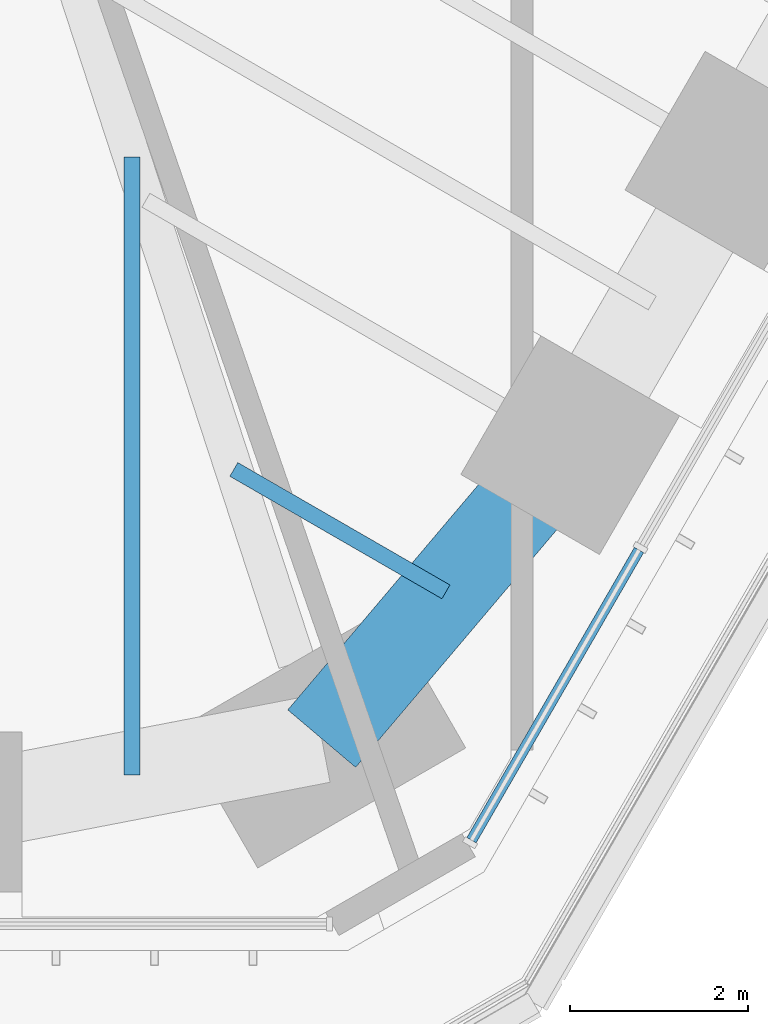
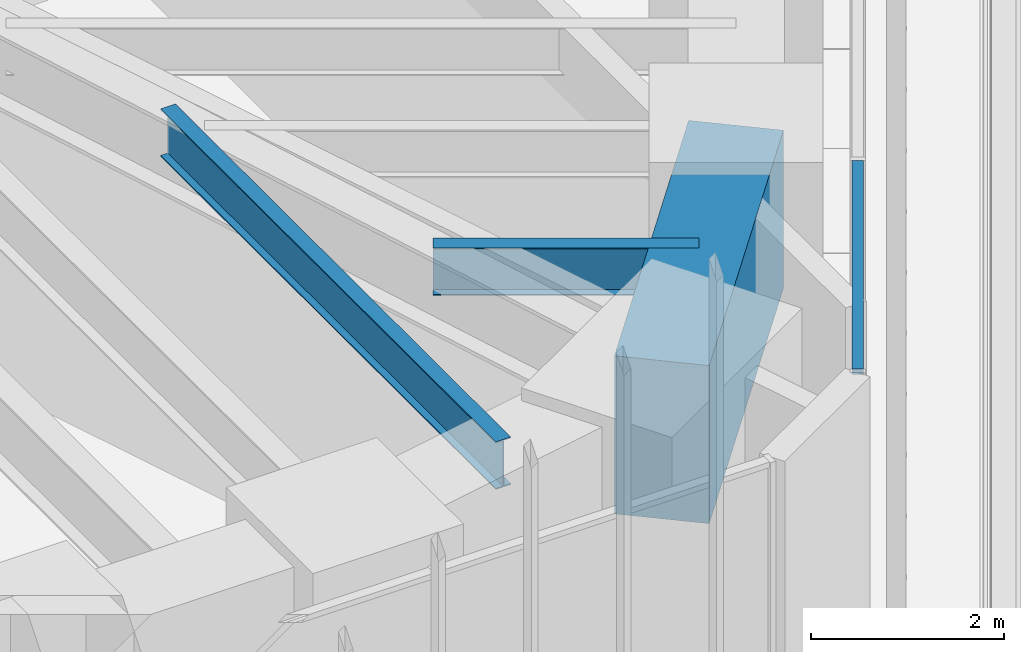
# One storey, part 78 of 228: 3 beams, 1 member, 1 element without a shape of its own.
"""IFC4 building model written with IfcOpenShell, lengths in metres."""

from ifc_helpers import new_model, si_unit, direction, frame, origin, origin_2d, place, context, subcontext, project, spatial, rectangle, i_section, extrude, material, material_profile, profile_set, type_object, element, aggregate, save


model = new_model("IFC4")

# Units and contexts
model_context = context("Model", 3, precision=1e-05, world=origin(), true_north=direction((0.0, 1.0)))
body_context = subcontext(model_context, "Body", "Model", "MODEL_VIEW")
ifc_project = project(units=[si_unit("LENGTHUNIT", "METRE"), si_unit("AREAUNIT", "SQUARE_METRE"), si_unit("VOLUMEUNIT", "CUBIC_METRE"), si_unit("PLANEANGLEUNIT", "RADIAN"), si_unit("MASSUNIT", "GRAM", prefix="KILO")], contexts=[model_context])

# Site, building, storey
site_placement = place(None, origin())
site = spatial("IfcSite", under=ifc_project, at=site_placement, CompositionType="ELEMENT")
building_placement = place(site_placement, origin())
building = spatial("IfcBuilding", under=site, at=building_placement, Name="Sandreach Pilgrim Tower", CompositionType="ELEMENT")
storey_placement = place(building_placement, frame((0.0, 0.0, 178.199951171875)))
storey = spatial("IfcBuildingStorey", under=building, at=storey_placement, Name="L44", CompositionType="ELEMENT", Elevation=178.199951171875)

# Curtain wall, member
ifc_material_1 = material(Name="Aluminium framed curtain wall", Category="aluminium")
curtain_wall_type = type_object("IfcCurtainWallType", Name="Upper hotel tower curtain wall", PredefinedType="NOTDEFINED", material=ifc_material_1)
curtain_wall_placement = place(storey_placement, origin())
curtain_wall = element("IfcCurtainWall", 1, at=curtain_wall_placement, inside=storey, type_object=curtain_wall_type, Name="CW-3 L44 SE", PredefinedType="NOTDEFINED")
ifc_material_2 = material(Name="Aluminium extrusion", Category="aluminium")
ifc_material_profile_1 = material_profile(ifc_material_2, rectangle(XDim=0.1201171875, YDim=0.070068359375, at=origin_2d()), Name="CW-3T 120X70")
ifc_profile_set_1 = profile_set([ifc_material_profile_1], Name="Aluminium extrusion")
member_type = type_object("IfcMemberType", Name="CW-3 transom", PredefinedType="USERDEFINED", material=ifc_profile_set_1)
member_placement = place(storey_placement, frame((11.546142578125, -22.321533203125, 4.804931640625), z_axis=(-0.499973055223, -0.8660409598, 0.0), x_axis=(0.8660409598, -0.499973055223, 0.0)))
member = element("IfcMember", 2, at=member_placement, type_object=member_type, Name="CW-3 head transom 9", ObjectType="TRANSOM", PredefinedType="USERDEFINED", context=body_context, shape_type="SweptSolid", body=[
    extrude(rectangle(XDim=0.1201171875, YDim=0.070068359375, at=origin_2d()), origin(), (0.0, 0.0, 1.0), 3.766845703125),
])
aggregate(curtain_wall, [member])

# Beams
ifc_material_3 = material(Name="Steel ASTM A992 Grade 50", Category="steel")
ifc_material_profile_2 = material_profile(ifc_material_3, i_section(OverallWidth=0.1787109375, OverallDepth=0.60205078125, WebThickness=0.010986328125, FlangeThickness=0.014892578125, at=origin_2d()), Name="W24X62")
ifc_profile_set_2 = profile_set([ifc_material_profile_2], Name="Steel ASTM A992 Grade 50")
beam_type_1 = type_object("IfcBeamType", Name="Floor beam W24X62", PredefinedType="BEAM", material=ifc_profile_set_2)
beam_1_placement = place(storey_placement, frame((9.375244140625, -22.7919921875, 4.5390625), z_axis=(-0.866046803606, 0.49996293259, 0.0), x_axis=(-0.49996293259, -0.866046803606, 0.0)))
element("IfcBeam", 3, at=beam_1_placement, inside=storey, type_object=beam_type_1, Name="BM L44 FM21", PredefinedType="BEAM", context=body_context, shape_type="SweptSolid", body=[
    extrude(i_section(OverallWidth=0.1787109375, OverallDepth=0.60205078125, WebThickness=0.010986328125, FlangeThickness=0.014892578125, at=origin_2d()), origin(), (0.0, 0.0, 1.0), 2.753662109375),
])
beam_2_placement = place(storey_placement, frame((5.844482421875, -24.853515625, 4.5390625), z_axis=(0.0, 1.0, 0.0), x_axis=(-1.0, 0.0, 0.0)))
element("IfcBeam", 4, at=beam_2_placement, inside=storey, type_object=beam_type_1, Name="BM L44 FM22", PredefinedType="BEAM", context=body_context, shape_type="SweptSolid", body=[
    extrude(i_section(OverallWidth=0.1787109375, OverallDepth=0.60205078125, WebThickness=0.010986328125, FlangeThickness=0.014892578125, at=origin_2d()), origin(), (0.0, 0.0, 1.0), 6.94921875),
])
ifc_material_4 = material(Name="Concrete 10000 psi", Category="concrete")
ifc_material_profile_3 = material_profile(ifc_material_4, rectangle(XDim=1.0, YDim=2.0, at=origin_2d()), Name="RC1000X2000")
ifc_profile_set_3 = profile_set([ifc_material_profile_3], Name="Concrete 10000 psi")
beam_type_2 = type_object("IfcBeamType", Name="Spandrel beam RC1000X2000", PredefinedType="SPANDREL", material=ifc_profile_set_3)
beam_3_placement = place(storey_placement, frame((10.772216796875, -21.142333984375, 3.840087890625), z_axis=(-0.646180160755, -0.76318490541, 0.0), x_axis=(0.76318490541, -0.646180160755, 0.0)))
element("IfcBeam", 5, at=beam_3_placement, inside=storey, type_object=beam_type_2, Name="BM L44 SP21", PredefinedType="SPANDREL", context=body_context, shape_type="SweptSolid", body=[
    extrude(rectangle(XDim=1.0, YDim=2.0, at=origin_2d()), origin(), (0.0, 0.0, 1.0), 4.323486328125),
])

save(model, "model.ifc")
